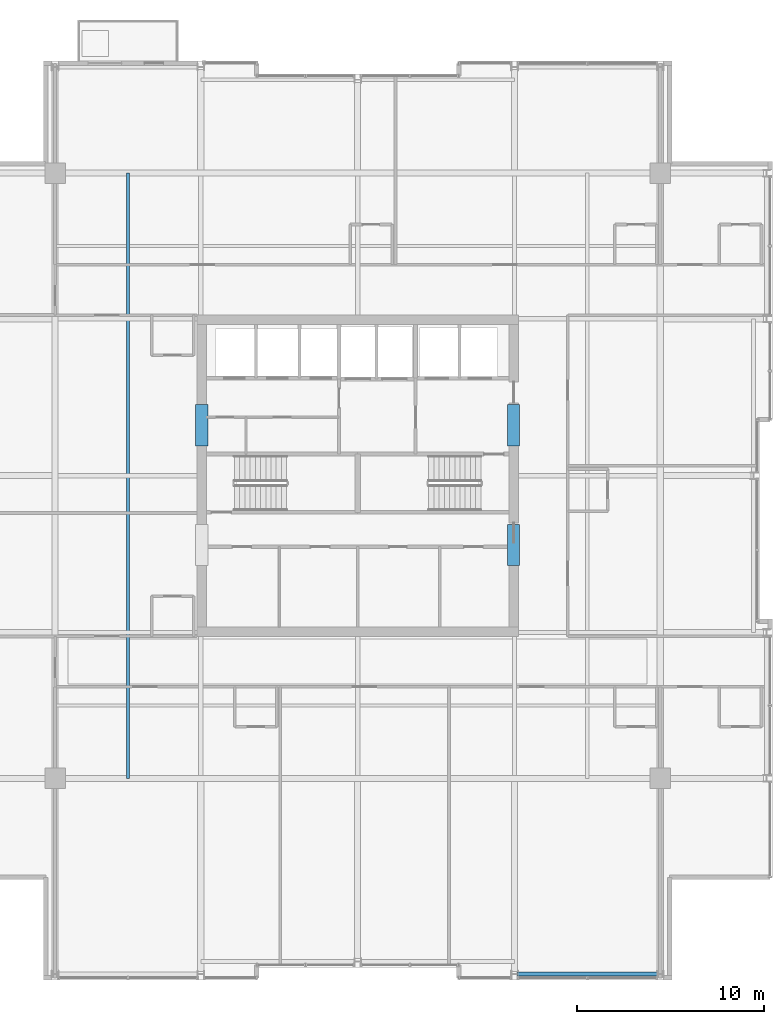
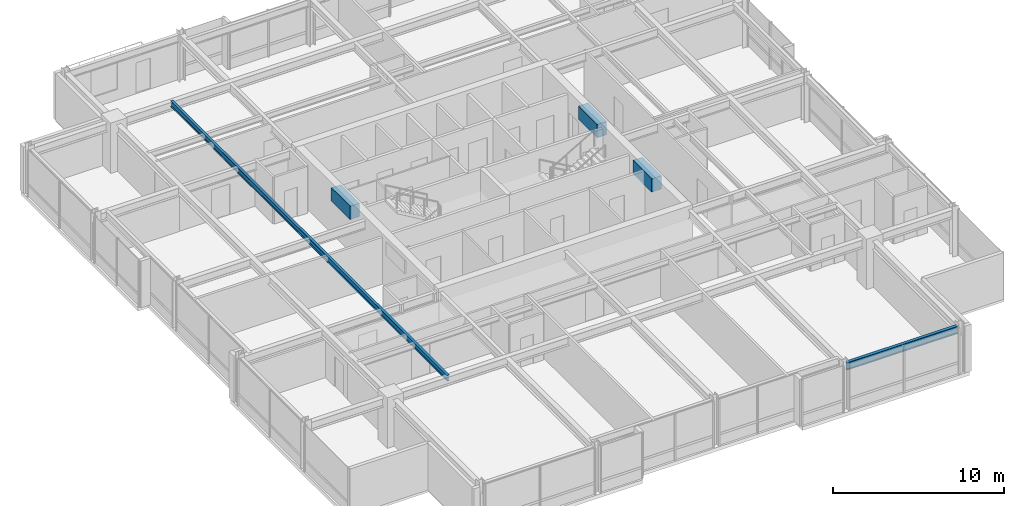
# One storey, part 11 of 30: 5 beams.
"""IFC4 building model written with IfcOpenShell, lengths in metres."""

from ifc_helpers import new_model, si_unit, direction, frame, origin, origin_2d, place, context, subcontext, project, spatial, rectangle, i_section, extrude, material, material_profile, profile_set, type_object, element, save


model = new_model("IFC4")

# Units and contexts
model_context = context("Model", 3, precision=1e-05, world=origin(), true_north=direction((0.0, 1.0)))
body_context = subcontext(model_context, "Body", "Model", "MODEL_VIEW")
ifc_project = project(units=[si_unit("LENGTHUNIT", "METRE"), si_unit("AREAUNIT", "SQUARE_METRE"), si_unit("VOLUMEUNIT", "CUBIC_METRE"), si_unit("PLANEANGLEUNIT", "RADIAN"), si_unit("MASSUNIT", "GRAM", prefix="KILO")], contexts=[model_context])

# Site, building, storey
site_placement = place(None, origin())
site = spatial("IfcSite", under=ifc_project, at=site_placement, CompositionType="ELEMENT")
building_placement = place(site_placement, origin())
building = spatial("IfcBuilding", under=site, at=building_placement, Name="Drelvath Grand Hotel", CompositionType="ELEMENT")
storey_placement = place(building_placement, frame((0.0, 0.0, 215.89990234375)))
storey = spatial("IfcBuildingStorey", under=building, at=storey_placement, Name="L56", CompositionType="ELEMENT", Elevation=215.89990234375)

# Beams
ifc_material_1 = material(Name="Steel ASTM A992 Gr 50", Category="steel")
ifc_material_profile_1 = material_profile(ifc_material_1, i_section(OverallWidth=0.177734375, OverallDepth=0.40673828125, WebThickness=0.0078125, FlangeThickness=0.0126953125, FilletRadius=0.014892578125, at=origin_2d()), Name="W16X40")
ifc_profile_set_1 = profile_set([ifc_material_profile_1], Name="Steel ASTM A992 Gr 50")
beam_type_1 = type_object("IfcBeamType", Name="Composite Floor Joist W16X40", PredefinedType="JOIST", material=ifc_profile_set_1)
beam_1_placement = place(storey_placement, frame((-12.300048828125, 10.800048828125, 3.13671875), z_axis=(0.0, 1.0, 0.0), x_axis=(-1.0, 0.0, 0.0)))
element("IfcBeam", 1, at=beam_1_placement, inside=storey, type_object=beam_type_1, Name="L56 Wing Floor Joist J3", PredefinedType="JOIST", context=body_context, shape_type="SweptSolid", body=[
    extrude(i_section(OverallWidth=0.177734375, OverallDepth=0.40673828125, WebThickness=0.0078125, FlangeThickness=0.0126953125, FilletRadius=0.014892578125, at=origin_2d()), origin(), (0.0, 0.0, 1.0), 32.39990234375),
])
ifc_material_2 = material(Name="Concrete f'c 55 MPa", Category="concrete")
ifc_material_profile_2 = material_profile(ifc_material_2, rectangle(XDim=0.64990234375, YDim=0.949951171875, at=origin_2d()), Name="CB650X950")
ifc_profile_set_2 = profile_set([ifc_material_profile_2], Name="Concrete f'c 55 MPa")
beam_type_2 = type_object("IfcBeamType", Name="Core Coupling Lintel CB650X950", PredefinedType="LINTEL", material=ifc_profile_set_2)
for number, where, z_axis, x_axis, name in (
    (2, (-8.35009765625, 28.60009765625, 2.864990234375), (0.0, 1.0, 0.0), (-1.0, 0.0, 0.0), "L56 Core Coupling Lintel WN"),
    (3, (8.35009765625, 22.199951171875, 2.864990234375), (0.0, 1.0, 0.0), (-1.0, 0.0, 0.0), "L56 Core Coupling Lintel ES"),
    (4, (8.35009765625, 28.60009765625, 2.864990234375), (0.0, 1.0, 0.0), (-1.0, 0.0, 0.0), "L56 Core Coupling Lintel EN"),
):
    element("IfcBeam", number, at=place(storey_placement, frame(where, z_axis=z_axis, x_axis=x_axis)), inside=storey, type_object=beam_type_2, Name=name, PredefinedType="LINTEL", context=body_context, shape_type="SweptSolid", body=[
        extrude(rectangle(XDim=0.64990234375, YDim=0.949951171875, at=origin_2d()), origin(), (0.0, 0.0, 1.0), 2.199951171875),
    ])
ifc_material_profile_3 = material_profile(ifc_material_1, i_section(OverallWidth=0.210205078125, OverallDepth=0.53662109375, WebThickness=0.010986328125, FlangeThickness=0.017333984375, FilletRadius=0.01806640625, at=origin_2d()), Name="W21X68")
ifc_profile_set_3 = profile_set([ifc_material_profile_3], Name="Steel ASTM A992 Gr 50")
beam_type_3 = type_object("IfcBeamType", Name="Perimeter Spandrel Beam W21X68", PredefinedType="SPANDREL", material=ifc_profile_set_3)
beam_2_placement = place(storey_placement, frame((8.5400390625, 0.320068359375, 3.07177734375), z_axis=(1.0, 0.0, 0.0), x_axis=(0.0, 1.0, 0.0)))
element("IfcBeam", 5, at=beam_2_placement, inside=storey, type_object=beam_type_3, Name="L56 Spandrel South E", PredefinedType="SPANDREL", context=body_context, shape_type="SweptSolid", body=[
    extrude(i_section(OverallWidth=0.210205078125, OverallDepth=0.53662109375, WebThickness=0.010986328125, FlangeThickness=0.017333984375, FilletRadius=0.01806640625, at=origin_2d()), origin(), (0.0, 0.0, 1.0), 7.52001953125),
])

save(model, "model.ifc")
